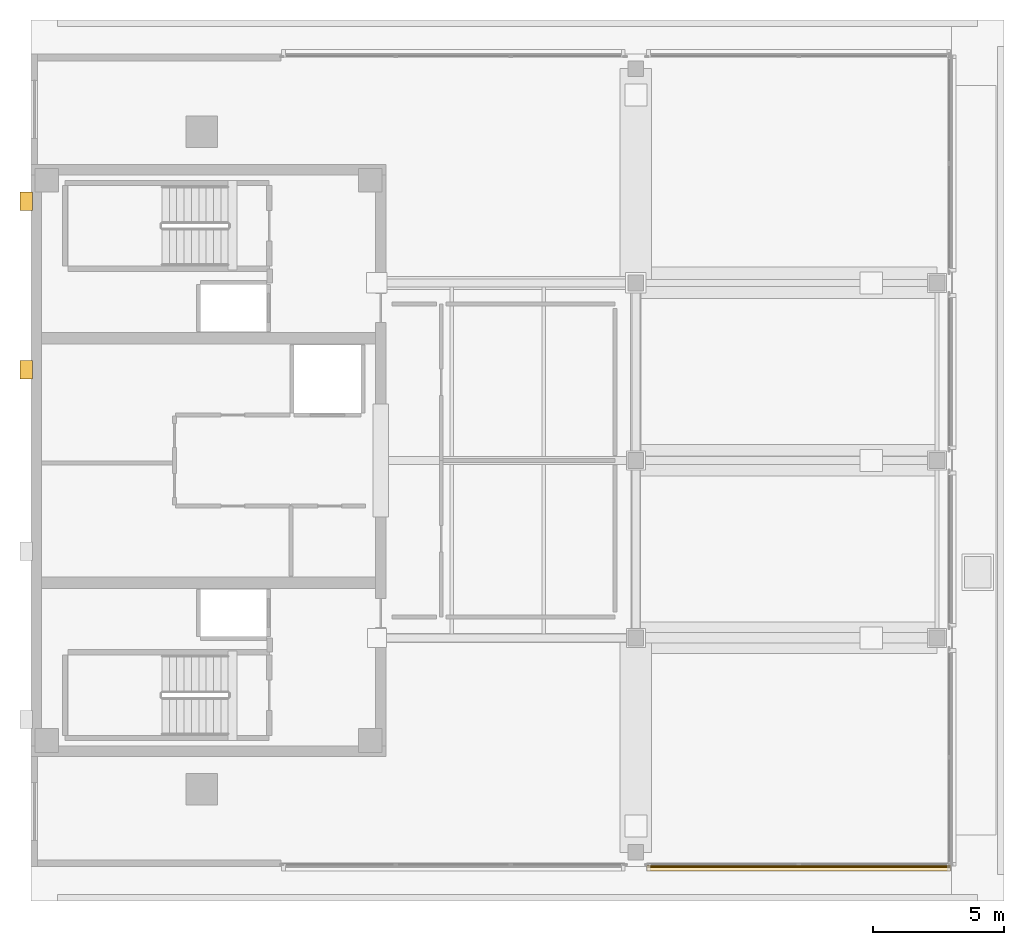
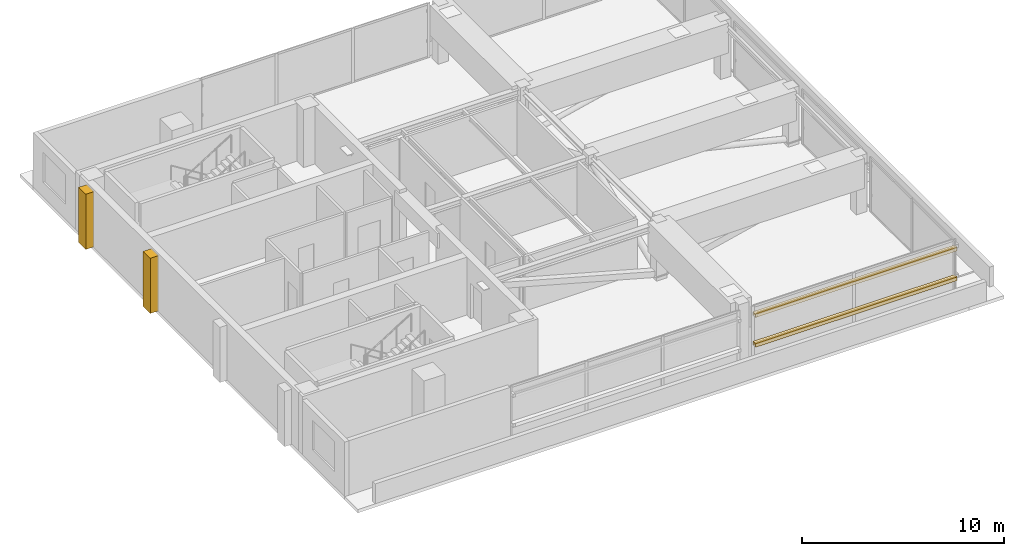
# One storey, part 9 of 11: 4 coverings, 2 shading devices.
"""IFC4 building model written with IfcOpenShell, lengths in metres."""

import ifcopenshell
import ifcopenshell.guid

model = None  # the IFC model being written
_history = None  # IfcOwnerHistory: only IFC2X3 demands one
_inside = {}  # id of a spatial element -> (the spatial element, [elements in it])
_under = {}  # id of a project, library or spatial element -> (it, [spatial elements below it])
_declared = {}  # id of a project -> (the project, [libraries it declares])
_typed = {}  # id of a type object -> (the type object, [elements of that type])
_made_of = {}  # id of a material, layer set ... -> (it, [elements and type objects made of it])


def new_model(schema):
    """Start an empty IFC model of exactly this schema.

    Asked for "IFC4X3", IfcOpenShell would pick the latest addendum, in which some entities
    have other attributes; the version numbers below select the first issue.
    IFC2X3 requires an IfcOwnerHistory on every rooted entity: one is made here for all.
    """
    global model, _history
    if schema == "IFC4X3":
        model = ifcopenshell.file(schema_version=(4, 3, 0, 0))
    else:
        model = ifcopenshell.file(schema=schema)
    _inside.clear()
    _under.clear()
    _declared.clear()
    _typed.clear()
    _made_of.clear()
    _history = None
    if model.schema == "IFC2X3":
        org = make("IfcOrganization", Name="unknown")
        user = make(
            "IfcPersonAndOrganization",
            ThePerson=make("IfcPerson", FamilyName="unknown"),
            TheOrganization=org,
        )
        app = make(
            "IfcApplication",
            ApplicationDeveloper=org,
            Version="unknown",
            ApplicationFullName="unknown",
            ApplicationIdentifier="unknown",
        )
        _history = make(
            "IfcOwnerHistory",
            OwningUser=user,
            OwningApplication=app,
            ChangeAction="ADDED",
            CreationDate=0,
        )
    return model


def make(cls, **values):
    """One entity of the class cls with the attributes given. An attribute that is None is left unset."""
    return model.create_entity(
        cls, **{name: value for name, value in values.items() if value is not None}
    )


def rooted(cls, **values):
    """An entity with a GlobalId (a new one), such as an element, a storey or a relation."""
    return make(cls, GlobalId=ifcopenshell.guid.new(), OwnerHistory=_history, **values)


def si_unit(unit_type, name, prefix=None):
    """IfcSIUnit, for example si_unit("LENGTHUNIT", "METRE", prefix="MILLI")."""
    return make("IfcSIUnit", UnitType=unit_type, Prefix=prefix, Name=name)


def assignment(units):
    """IfcUnitAssignment: the units of a project."""
    return None if units is None else make("IfcUnitAssignment", Units=units)


def point(xyz):
    """IfcCartesianPoint."""
    return None if xyz is None else make("IfcCartesianPoint", Coordinates=xyz)


def direction(xyz):
    """IfcDirection."""
    return None if xyz is None else make("IfcDirection", DirectionRatios=xyz)


def frame(location, z_axis=None, x_axis=None):
    """IfcAxis2Placement3D, a coordinate frame: its origin and axes. An axis left out is left unset."""
    return make(
        "IfcAxis2Placement3D",
        Location=point(location),
        Axis=direction(z_axis),
        RefDirection=direction(x_axis),
    )


def frame_2d(location, x_axis=None):
    """IfcAxis2Placement2D, a coordinate frame in the plane: its origin and x axis."""
    return make(
        "IfcAxis2Placement2D", Location=point(location), RefDirection=direction(x_axis)
    )


def origin():
    """The frame at (0, 0, 0) with its axes left unset."""
    return frame((0.0, 0.0, 0.0))


def origin_2d():
    """The frame at (0, 0) in the plane with its x axis left unset."""
    return frame_2d((0.0, 0.0))


def place(relative_to, where):
    """IfcLocalPlacement: puts the frame where relative to a parent placement (None: the world)."""
    return make(
        "IfcLocalPlacement", PlacementRelTo=relative_to, RelativePlacement=where
    )


def context(
    kind, dimensions, precision=None, world=None, true_north=None, identifier=None
):
    """IfcGeometricRepresentationContext, for example the 3D "Model" context."""
    return make(
        "IfcGeometricRepresentationContext",
        ContextIdentifier=identifier,
        ContextType=kind,
        CoordinateSpaceDimension=dimensions,
        Precision=precision,
        WorldCoordinateSystem=world,
        TrueNorth=true_north,
    )


def subcontext(parent, identifier, kind, view, scale=None):
    """IfcGeometricRepresentationSubContext, for example "Body" below "Model"."""
    return make(
        "IfcGeometricRepresentationSubContext",
        ContextIdentifier=identifier,
        ContextType=kind,
        ParentContext=parent,
        TargetScale=scale,
        TargetView=view,
    )


def project(units=None, contexts=None):
    """IfcProject with its units and contexts."""
    return rooted(
        "IfcProject",
        Name="project",
        RepresentationContexts=contexts,
        UnitsInContext=assignment(units),
    )


def spatial(cls, under=None, at=None, **own):
    """A site, building, storey or space (cls), placed at a placement, below another one or the project."""
    s = rooted(cls, ObjectPlacement=at, **own)
    if under is not None:
        _under.setdefault(under.id(), (under, []))[1].append(s)
    return s


def polyline(points):
    """IfcPolyline through the points."""
    return make("IfcPolyline", Points=[point(p) for p in points])


def profile(cls, at=None, kind="AREA", **sizes):
    """A parametric profile (cls). Its sizes go by their IFC names, for example OverallWidth=200.0."""
    return make(cls, ProfileType=kind, Position=at, **sizes)


def rectangle(**sizes):
    """IfcRectangleProfileDef."""
    return profile("IfcRectangleProfileDef", **sizes)


def outline(outer, holes=None, kind="AREA"):
    """IfcArbitraryClosedProfileDef: a profile drawn as a closed curve; with holes, ...WithVoids."""
    if holes is None:
        return make("IfcArbitraryClosedProfileDef", ProfileType=kind, OuterCurve=outer)
    return make(
        "IfcArbitraryProfileDefWithVoids",
        ProfileType=kind,
        OuterCurve=outer,
        InnerCurves=holes,
    )


def extrude(swept, where, along, depth):
    """IfcExtrudedAreaSolid: the profile swept, set in the frame where, extruded along a direction by depth."""
    return make(
        "IfcExtrudedAreaSolid",
        SweptArea=swept,
        Position=where,
        ExtrudedDirection=direction(along),
        Depth=depth,
    )


def shape(context_of_items, identifier, shape_type, items):
    """IfcShapeRepresentation: the items that make up one representation, for example the "Body"."""
    return make(
        "IfcShapeRepresentation",
        ContextOfItems=context_of_items,
        RepresentationIdentifier=identifier,
        RepresentationType=shape_type,
        Items=items,
    )


def material(Name=None, Category=None):
    """IfcMaterial."""
    return make("IfcMaterial", Name=Name, Category=Category)


def layer(
    of_material, thickness, ventilated=None, Name=None, Category=None, Priority=None
):
    """IfcMaterialLayer: one layer of a wall or slab, of a material (None: an air gap)."""
    return make(
        "IfcMaterialLayer",
        Material=of_material,
        LayerThickness=thickness,
        IsVentilated=ventilated,
        Name=Name,
        Category=Category,
        Priority=Priority,
    )


def layer_set(layers, Name=None):
    """IfcMaterialLayerSet."""
    return make("IfcMaterialLayerSet", MaterialLayers=layers, LayerSetName=Name)


def material_profile(
    of_material, cross_section, Name=None, Category=None, Priority=None
):
    """IfcMaterialProfile: a cross section and its material."""
    return make(
        "IfcMaterialProfile",
        Name=Name,
        Material=of_material,
        Profile=cross_section,
        Priority=Priority,
        Category=Category,
    )


def profile_set(profiles, Name=None, composite=None):
    """IfcMaterialProfileSet."""
    return make(
        "IfcMaterialProfileSet",
        Name=Name,
        MaterialProfiles=profiles,
        CompositeProfile=composite,
    )


def made_of(thing, what):
    """Note that an element or type object is made of a material, layer set ...; save() writes the relation."""
    if what is not None:
        _made_of.setdefault(what.id(), (what, []))[1].append(thing)
    return thing


def type_object(cls, material=None, **own):
    """A type object (cls), such as IfcWallType, which elements share."""
    return made_of(rooted(cls, **own), material)


def element(
    cls,
    number,
    at=None,
    inside=None,
    cuts=None,
    type_object=None,
    material=None,
    context=None,
    identifier="Body",
    shape_type=None,
    held_by="IfcProductDefinitionShape",
    body=None,
    shapes=None,
    **own,
):
    """One element of the class cls, such as IfcWall. Its Tag is "e" and its number.

    at: its placement. inside: the storey or other place that contains it. cuts: it is an
    opening in that element (IfcRelVoidsElement). A single representation is given by context,
    identifier, shape_type and body (its items); several are given by shapes. held_by: the class
    of the entity that holds the representations. save() writes the other relations.
    """
    e = rooted(cls, Tag="e%d" % number, ObjectPlacement=at, **own)
    if body is not None:
        shapes = [shape(context, identifier, shape_type, body)]
    if shapes is not None:
        e.Representation = make(held_by, Representations=shapes)
    if inside is not None:
        _inside.setdefault(inside.id(), (inside, []))[1].append(e)
    if cuts is not None:
        rooted(
            "IfcRelVoidsElement", RelatingBuildingElement=cuts, RelatedOpeningElement=e
        )
    if type_object is not None:
        _typed.setdefault(type_object.id(), (type_object, []))[1].append(e)
    return made_of(e, material)


def aggregate(whole, parts):
    """IfcRelAggregates: a whole, such as a stair, and the parts it consists of."""
    return rooted("IfcRelAggregates", RelatingObject=whole, RelatedObjects=parts)


def save(model, path):
    """Write the relations noted so far, then the file.

    IfcRelAggregates (storeys below a building ...), IfcRelContainedInSpatialStructure (elements
    in a storey), IfcRelDefinesByType, IfcRelAssociatesMaterial and IfcRelDeclares: one each for
    every whole, place, type object, material and project.
    """
    for whole, parts in _under.values():
        aggregate(whole, parts)
    for where, things in _inside.values():
        rooted(
            "IfcRelContainedInSpatialStructure",
            RelatedElements=things,
            RelatingStructure=where,
        )
    for kind, things in _typed.values():
        rooted("IfcRelDefinesByType", RelatedObjects=things, RelatingType=kind)
    for what, things in _made_of.values():
        rooted("IfcRelAssociatesMaterial", RelatedObjects=things, RelatingMaterial=what)
    for by, libraries in _declared.values():
        rooted("IfcRelDeclares", RelatingContext=by, RelatedDefinitions=libraries)
    model.write(path)


model = new_model("IFC4")

# Units and contexts
model_context = context("Model", 3, precision=1e-05, world=origin(), true_north=direction((0.0, 1.0)))
body_context = subcontext(model_context, "Body", "Model", "MODEL_VIEW")
ifc_project = project(units=[si_unit("LENGTHUNIT", "METRE"), si_unit("AREAUNIT", "SQUARE_METRE"), si_unit("VOLUMEUNIT", "CUBIC_METRE"), si_unit("PLANEANGLEUNIT", "RADIAN"), si_unit("MASSUNIT", "GRAM", prefix="KILO")], contexts=[model_context])

# Site, building, storey
site_placement = place(None, origin())
site = spatial("IfcSite", under=ifc_project, at=site_placement, CompositionType="ELEMENT")
building_placement = place(site_placement, origin())
building = spatial("IfcBuilding", under=site, at=building_placement, Name="Kinhvarn Gate Tower", CompositionType="ELEMENT")
storey_placement = place(building_placement, frame((0.0, 0.0, 307.550048828125)))
storey = spatial("IfcBuildingStorey", under=building, at=storey_placement, Name="L81", CompositionType="ELEMENT", Elevation=307.550048828125)

# Coverings
ifc_material_1 = material(Name="Fired architectural terracotta", Category="masonry")
ifc_layer_1 = layer(ifc_material_1, 0.239990234375)
ifc_layer_set_1 = layer_set([ifc_layer_1], Name="Fired architectural terracotta")
covering_type_1 = type_object("IfcCoveringType", Name="COV-BAG-220", PredefinedType="CLADDING", material=ifc_layer_set_1)
for number, where, name in (
    (1, (0.0, 0.0, 0.93994140625), "Terracotta Horizontal Sunscreen Band TBG-220 (L81)"),
    (2, (0.0, 0.0, 2.739990234375), "Terracotta Horizontal Sunscreen Band TBG-220 (L81)"),
):
    element("IfcCovering", number, at=place(storey_placement, frame(where)), inside=storey, type_object=covering_type_1, Name=name, PredefinedType="CLADDING", context=body_context, shape_type="SweptSolid", body=[
        extrude(outline(polyline([(27.919921875, 9.8701171875), (39.4599609375, 9.8701171875), (39.4599609375, 9.6298828125), (27.919921875, 9.6298828125), (27.919921875, 9.8701171875)])), origin(), (0.0, 0.0, 1.0), 0.219970703125),
    ])
ifc_material_2 = material(Name="Precast white architectural concrete C40/50", Category="concrete")
ifc_layer_2 = layer(ifc_material_2, 0.47998046875)
ifc_layer_set_2 = layer_set([ifc_layer_2], Name="Precast white architectural concrete C40/50")
covering_type_2 = type_object("IfcCoveringType", Name="COV-RIB-450", PredefinedType="CLADDING", material=ifc_layer_set_2)
covering_1_placement = place(storey_placement, frame((0.0, 0.0, -0.02001953125)))
element("IfcCovering", 3, at=covering_1_placement, inside=storey, type_object=covering_type_2, Name="West Core Sculptural Concrete Relief Rib CRB-450 (L81)", PredefinedType="CLADDING", context=body_context, shape_type="SweptSolid", body=[
    extrude(outline(polyline([(4.080078125, 28.35009765625), (4.56005859375, 28.35009765625), (4.56005859375, 29.050048828125), (4.080078125, 29.050048828125), (4.080078125, 28.35009765625)])), origin(), (0.0, 0.0, 1.0), 3.340087890625),
])
covering_2_placement = place(storey_placement, frame((0.0, 0.0, -0.02001953125)))
element("IfcCovering", 4, at=covering_2_placement, inside=storey, type_object=covering_type_2, Name="West Core Sculptural Concrete Relief Rib CRB-450 (L81)", PredefinedType="CLADDING", context=body_context, shape_type="SweptSolid", body=[
    extrude(outline(polyline([(4.080078125, 34.75), (4.56005859375, 34.75), (4.56005859375, 35.449951171875), (4.080078125, 35.449951171875), (4.080078125, 34.75)])), origin(), (0.0, 0.0, 1.0), 3.340087890625),
])

# Shading devices
ifc_material_profile = material_profile(ifc_material_1, rectangle(XDim=0.050048828125, YDim=0.1201171875, at=origin_2d()), Name="TC 50x120")
ifc_profile_set = profile_set([ifc_material_profile], Name="Fired architectural terracotta")
shading_device_type = type_object("IfcShadingDeviceType", Name="SHD-BAG-140", PredefinedType="USERDEFINED", material=ifc_profile_set)
for number, where, z_axis, x_axis, name in (
    (5, (27.919921875, 9.800048828125, 1.050048828125), (1.0, 0.0, 0.0), (0.0, 1.0, 0.0), "Upper Tower Terracotta Baguette Screen Rod 50x120 mm (L81)"),
    (6, (27.919921875, 9.800048828125, 2.849853515625), (1.0, 0.0, 0.0), (0.0, 1.0, 0.0), "Upper Tower Terracotta Baguette Screen Rod 50x120 mm (L81)"),
):
    element("IfcShadingDevice", number, at=place(storey_placement, frame(where, z_axis=z_axis, x_axis=x_axis)), inside=storey, type_object=shading_device_type, Name=name, ObjectType="BAGUETTE", PredefinedType="USERDEFINED", context=body_context, shape_type="SweptSolid", body=[
        extrude(rectangle(XDim=0.050048828125, YDim=0.1201171875, at=origin_2d()), origin(), (0.0, 0.0, 1.0), 11.5400390625),
    ])

save(model, "model.ifc")
